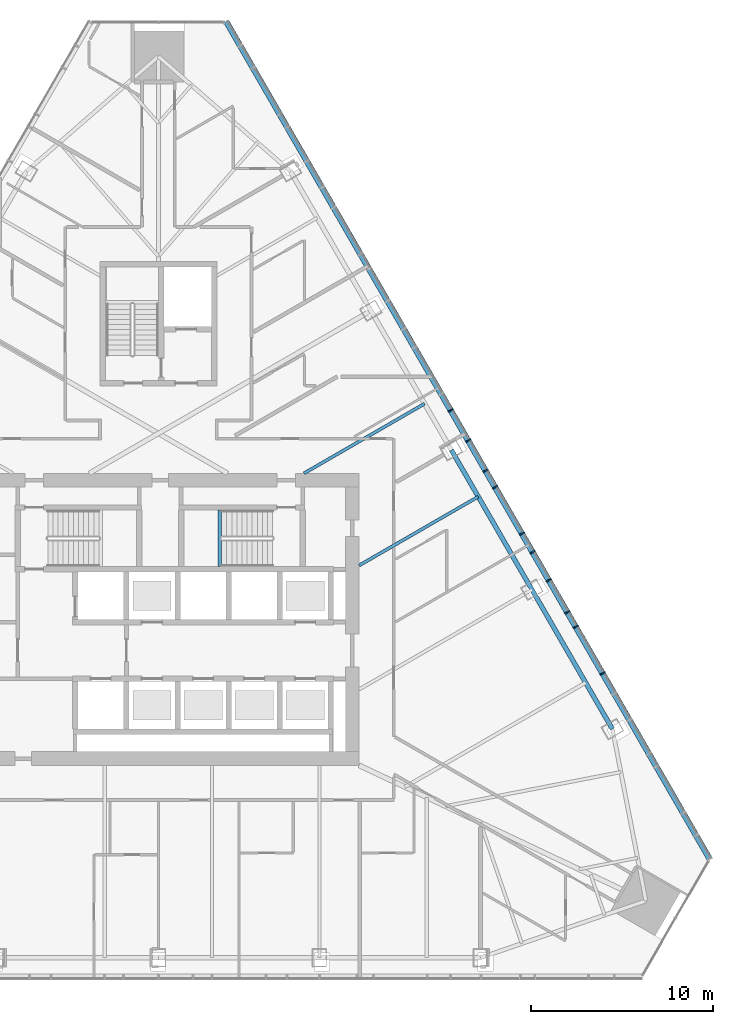
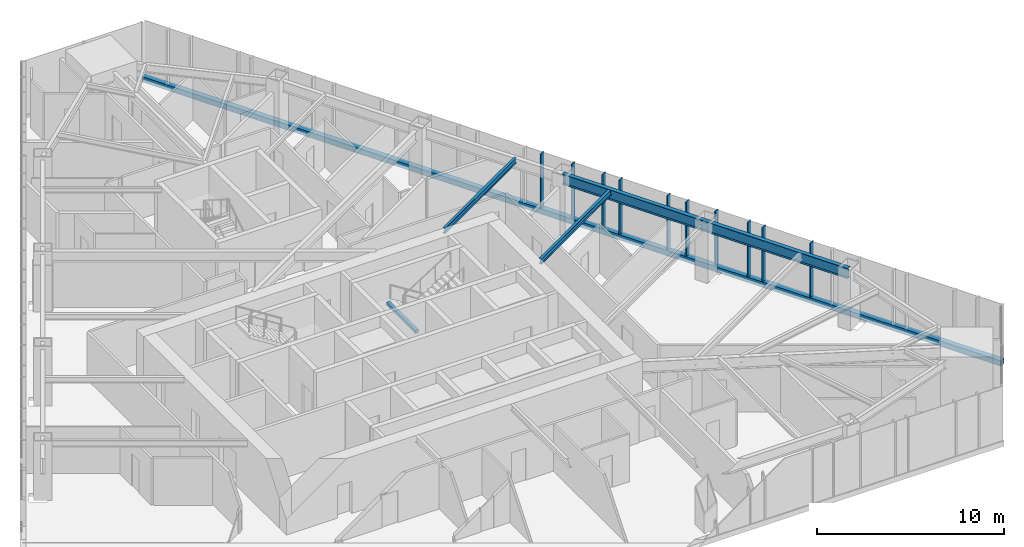
# One storey, part 6 of 19: 11 members, 4 beams, 1 element without a shape of its own.
"""IFC4 building model written with IfcOpenShell, lengths in metres."""

from ifc_helpers import new_model, si_unit, direction, frame, origin, origin_2d, place, context, subcontext, project, spatial, rectangle, i_section, extrude, material, layer, layer_set, material_profile, profile_set, type_object, element, aggregate, save


model = new_model("IFC4")

# Units and contexts
model_context = context("Model", 3, precision=1e-05, world=origin(), true_north=direction((0.0, 1.0)))
body_context = subcontext(model_context, "Body", "Model", "MODEL_VIEW")
ifc_project = project(units=[si_unit("LENGTHUNIT", "METRE"), si_unit("AREAUNIT", "SQUARE_METRE"), si_unit("VOLUMEUNIT", "CUBIC_METRE"), si_unit("PLANEANGLEUNIT", "RADIAN"), si_unit("MASSUNIT", "GRAM", prefix="KILO")], contexts=[model_context])

# Site, building, storey
site_placement = place(None, origin())
site = spatial("IfcSite", under=ifc_project, at=site_placement, CompositionType="ELEMENT")
building_placement = place(site_placement, origin())
building = spatial("IfcBuilding", under=site, at=building_placement, Name="Firuza Gate Tower and Library", CompositionType="ELEMENT")
storey_placement = place(building_placement, frame((0.0, 0.0, 179.199951171875)))
storey = spatial("IfcBuildingStorey", under=building, at=storey_placement, Name="L41", CompositionType="ELEMENT", Elevation=179.199951171875)

# Curtain wall, members
ifc_material_1 = material(Name="Aluminium 6063-T6", Category="aluminium")
ifc_layer = layer(ifc_material_1, 0.14990234375)
ifc_layer_set = layer_set([ifc_layer], Name="Unitised curtain wall, hotel")
curtain_wall_type = type_object("IfcCurtainWallType", Name="Unitised curtain wall, hotel", PredefinedType="NOTDEFINED", material=ifc_layer_set)
curtain_wall_placement = place(storey_placement, origin())
curtain_wall = element("IfcCurtainWall", 1, at=curtain_wall_placement, inside=storey, type_object=curtain_wall_type, Name="CW2 L41 E face", PredefinedType="NOTDEFINED")
ifc_material_2 = material(Name="Aluminium 6063-T6", Category="aluminium")
ifc_material_profile_1 = material_profile(ifc_material_2, rectangle(XDim=0.320068359375, YDim=0.080078125, at=origin_2d()))
ifc_profile_set_1 = profile_set([ifc_material_profile_1], Name="Aluminium 6063-T6")
member_type_1 = type_object("IfcMemberType", Name="Curtain wall mullion 80x320", PredefinedType="MULLION", material=ifc_profile_set_1)
member_1_placement = place(storey_placement, frame((99.339599609375, 72.043212890625, 0.150146484375), z_axis=(0.0, 0.0, 1.0), x_axis=(-0.866025403784, -0.5, 0.0)))
member_1 = element("IfcMember", 2, at=member_1_placement, type_object=member_type_1, Name="Mullion", PredefinedType="MULLION", context=body_context, shape_type="SweptSolid", body=[
    extrude(rectangle(XDim=0.320068359375, YDim=0.080078125, at=origin_2d()), origin(), (0.0, 0.0, 1.0), 3.5498046875),
])
member_2_placement = place(storey_placement, frame((97.866455078125, 74.594482421875, 0.150146484375), z_axis=(0.0, 0.0, 1.0), x_axis=(-0.866025403784, -0.5, 0.0)))
member_2 = element("IfcMember", 3, at=member_2_placement, type_object=member_type_1, Name="Mullion", PredefinedType="MULLION", context=body_context, shape_type="SweptSolid", body=[
    extrude(rectangle(XDim=0.320068359375, YDim=0.080078125, at=origin_2d()), origin(), (0.0, 0.0, 1.0), 3.5498046875),
])
member_3_placement = place(storey_placement, frame((96.3935546875, 77.14599609375, 0.150146484375), z_axis=(0.0, 0.0, 1.0), x_axis=(-0.866025403784, -0.5, 0.0)))
member_3 = element("IfcMember", 4, at=member_3_placement, type_object=member_type_1, Name="Mullion", PredefinedType="MULLION", context=body_context, shape_type="SweptSolid", body=[
    extrude(rectangle(XDim=0.320068359375, YDim=0.080078125, at=origin_2d()), origin(), (0.0, 0.0, 1.0), 3.5498046875),
])
member_4_placement = place(storey_placement, frame((94.92041015625, 79.697265625, 0.150146484375), z_axis=(0.0, 0.0, 1.0), x_axis=(-0.866025403784, -0.5, 0.0)))
member_4 = element("IfcMember", 5, at=member_4_placement, type_object=member_type_1, Name="Mullion", PredefinedType="MULLION", context=body_context, shape_type="SweptSolid", body=[
    extrude(rectangle(XDim=0.320068359375, YDim=0.080078125, at=origin_2d()), origin(), (0.0, 0.0, 1.0), 3.5498046875),
])
member_5_placement = place(storey_placement, frame((93.447509765625, 82.248779296875, 0.150146484375), z_axis=(0.0, 0.0, 1.0), x_axis=(-0.866025403784, -0.5, 0.0)))
member_5 = element("IfcMember", 6, at=member_5_placement, type_object=member_type_1, Name="Mullion", PredefinedType="MULLION", context=body_context, shape_type="SweptSolid", body=[
    extrude(rectangle(XDim=0.320068359375, YDim=0.080078125, at=origin_2d()), origin(), (0.0, 0.0, 1.0), 3.5498046875),
])
member_6_placement = place(storey_placement, frame((91.974365234375, 84.800048828125, 0.150146484375), z_axis=(0.0, 0.0, 1.0), x_axis=(-0.866025403784, -0.5, 0.0)))
member_6 = element("IfcMember", 7, at=member_6_placement, type_object=member_type_1, Name="Mullion", PredefinedType="MULLION", context=body_context, shape_type="SweptSolid", body=[
    extrude(rectangle(XDim=0.320068359375, YDim=0.080078125, at=origin_2d()), origin(), (0.0, 0.0, 1.0), 3.5498046875),
])
member_7_placement = place(storey_placement, frame((97.40869140625, 75.3876953125, 0.150146484375), z_axis=(0.0, 0.0, 1.0), x_axis=(-0.866025403784, -0.5, 0.0)))
member_7 = element("IfcMember", 8, at=member_7_placement, type_object=member_type_1, Name="Mullion", PredefinedType="MULLION", context=body_context, shape_type="SweptSolid", body=[
    extrude(rectangle(XDim=0.320068359375, YDim=0.080078125, at=origin_2d()), origin(), (0.0, 0.0, 1.0), 3.5498046875),
])
member_8_placement = place(storey_placement, frame((95.501953125, 78.690185546875, 0.150146484375), z_axis=(0.0, 0.0, 1.0), x_axis=(-0.866025403784, -0.5, 0.0)))
member_8 = element("IfcMember", 9, at=member_8_placement, type_object=member_type_1, Name="Mullion", PredefinedType="MULLION", context=body_context, shape_type="SweptSolid", body=[
    extrude(rectangle(XDim=0.320068359375, YDim=0.080078125, at=origin_2d()), origin(), (0.0, 0.0, 1.0), 3.5498046875),
])
member_9_placement = place(storey_placement, frame((92.927734375, 83.14892578125, 0.150146484375), z_axis=(0.0, 0.0, 1.0), x_axis=(-0.866025403784, -0.5, 0.0)))
member_9 = element("IfcMember", 10, at=member_9_placement, type_object=member_type_1, Name="Mullion", PredefinedType="MULLION", context=body_context, shape_type="SweptSolid", body=[
    extrude(rectangle(XDim=0.320068359375, YDim=0.080078125, at=origin_2d()), origin(), (0.0, 0.0, 1.0), 3.5498046875),
])
member_10_placement = place(storey_placement, frame((91.02099609375, 86.451416015625, 0.150146484375), z_axis=(0.0, 0.0, 1.0), x_axis=(-0.866025403784, -0.5, 0.0)))
member_10 = element("IfcMember", 11, at=member_10_placement, type_object=member_type_1, Name="Mullion", PredefinedType="MULLION", context=body_context, shape_type="SweptSolid", body=[
    extrude(rectangle(XDim=0.320068359375, YDim=0.080078125, at=origin_2d()), origin(), (0.0, 0.0, 1.0), 3.5498046875),
])
ifc_material_3 = material(Name="Aluminium 6063-T6", Category="aluminium")
ifc_material_profile_2 = material_profile(ifc_material_3, rectangle(XDim=0.320068359375, YDim=0.35009765625, at=origin_2d()))
ifc_profile_set_2 = profile_set([ifc_material_profile_2], Name="Aluminium 6063-T6")
member_type_2 = type_object("IfcMemberType", Name="Curtain wall transom 350x320", PredefinedType="USERDEFINED", material=ifc_profile_set_2)
member_11_placement = place(storey_placement, frame((105.231689453125, 61.837646484375, -0.02490234375), z_axis=(-0.500000753464, 0.866024968771, 0.0), x_axis=(-0.866024968771, -0.500000753464, 0.0)))
member_11 = element("IfcMember", 12, at=member_11_placement, type_object=member_type_2, Name="Transom", ObjectType="TRANSOM", PredefinedType="USERDEFINED", context=body_context, shape_type="SweptSolid", body=[
    extrude(rectangle(XDim=0.320068359375, YDim=0.35009765625, at=origin_2d()), origin(), (0.0, 0.0, 1.0), 53.02978515625),
])
aggregate(curtain_wall, [member_1, member_2, member_3, member_4, member_5, member_6, member_11, member_7, member_8, member_9, member_10])

# Beams
ifc_material_4 = material(Name="Concrete C35/45", Category="concrete")
ifc_material_profile_3 = material_profile(ifc_material_4, rectangle(XDim=0.199951171875, YDim=0.199951171875, at=origin_2d()))
ifc_profile_set_3 = profile_set([ifc_material_profile_3], Name="Concrete C35/45")
beam_type_1 = type_object("IfcBeamType", Name="Stair landing bearer 200x200", PredefinedType="BEAM", material=ifc_profile_set_3)
beam_1_placement = place(storey_placement, frame((78.360107421875, 80.97998046875, 1.650146484375), z_axis=(0.0, -1.0, 0.0), x_axis=(1.0, 0.0, 0.0)))
element("IfcBeam", 13, at=beam_1_placement, inside=storey, type_object=beam_type_1, Name="Landing bearer L41 stair 2", PredefinedType="BEAM", context=body_context, shape_type="SweptSolid", body=[
    extrude(rectangle(XDim=0.199951171875, YDim=0.199951171875, at=origin_2d()), origin(), (0.0, 0.0, 1.0), 3.080078125),
])
ifc_material_5 = material(Name="Steel S355", Category="steel")
ifc_material_profile_4 = material_profile(ifc_material_5, i_section(OverallWidth=0.1708984375, OverallDepth=0.35498046875, WebThickness=0.007080078125, FlangeThickness=0.01171875, at=origin_2d()))
ifc_profile_set_4 = profile_set([ifc_material_profile_4], Name="Steel S355")
beam_type_2 = type_object("IfcBeamType", Name="W360x51 Floor beam", PredefinedType="JOIST", material=ifc_profile_set_4)
beam_2_placement = place(storey_placement, frame((92.527099609375, 81.722900390625, 3.5224609375), z_axis=(-0.866031848217, -0.499988837749, 0.0), x_axis=(0.499988837749, -0.866031848217, 0.0)))
element("IfcBeam", 14, at=beam_2_placement, inside=storey, type_object=beam_type_2, Name="Floor beam L41 s52", PredefinedType="JOIST", context=body_context, shape_type="SweptSolid", body=[
    extrude(i_section(OverallWidth=0.1708984375, OverallDepth=0.35498046875, WebThickness=0.007080078125, FlangeThickness=0.01171875, at=origin_2d()), origin(), (0.0, 0.0, 1.0), 7.536865234375),
])
beam_3_placement = place(storey_placement, frame((89.585693359375, 86.8173828125, 3.5224609375), z_axis=(-0.866022634277, -0.500004796897, 0.0), x_axis=(0.500004796897, -0.866022634277, 0.0)))
element("IfcBeam", 15, at=beam_3_placement, inside=storey, type_object=beam_type_2, Name="Floor beam L41 s53", PredefinedType="JOIST", context=body_context, shape_type="SweptSolid", body=[
    extrude(i_section(OverallWidth=0.1708984375, OverallDepth=0.35498046875, WebThickness=0.007080078125, FlangeThickness=0.01171875, at=origin_2d()), origin(), (0.0, 0.0, 1.0), 7.634765625),
])
ifc_material_6 = material(Name="Steel S355", Category="steel")
ifc_material_profile_5 = material_profile(ifc_material_6, i_section(OverallWidth=0.2529296875, OverallDepth=0.677978515625, WebThickness=0.01171875, FlangeThickness=0.016357421875, at=origin_2d()))
ifc_profile_set_5 = profile_set([ifc_material_profile_5], Name="Steel S355")
beam_type_3 = type_object("IfcBeamType", Name="W690x125 Edge beam", PredefinedType="SPANDREL", material=ifc_profile_set_5)
beam_4_placement = place(storey_placement, frame((99.880126953125, 68.98681640625, 3.361083984375), z_axis=(-0.499992693477, 0.866029622166, 0.0), x_axis=(-0.866029622166, -0.499992693477, 0.0)))
element("IfcBeam", 16, at=beam_4_placement, inside=storey, type_object=beam_type_3, Name="Edge beam L41 e50", PredefinedType="SPANDREL", context=body_context, shape_type="SweptSolid", body=[
    extrude(i_section(OverallWidth=0.2529296875, OverallDepth=0.677978515625, WebThickness=0.01171875, FlangeThickness=0.016357421875, at=origin_2d()), origin(), (0.0, 0.0, 1.0), 17.647705078125),
])

save(model, "model.ifc")
